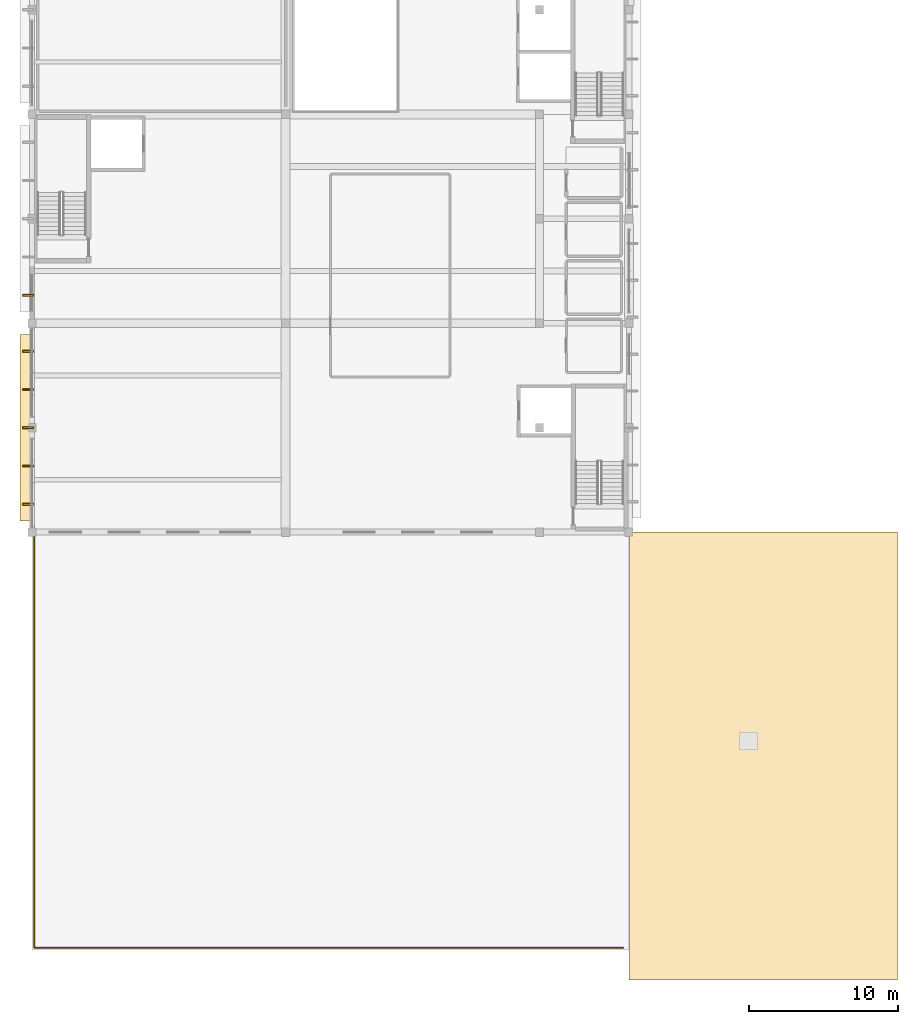
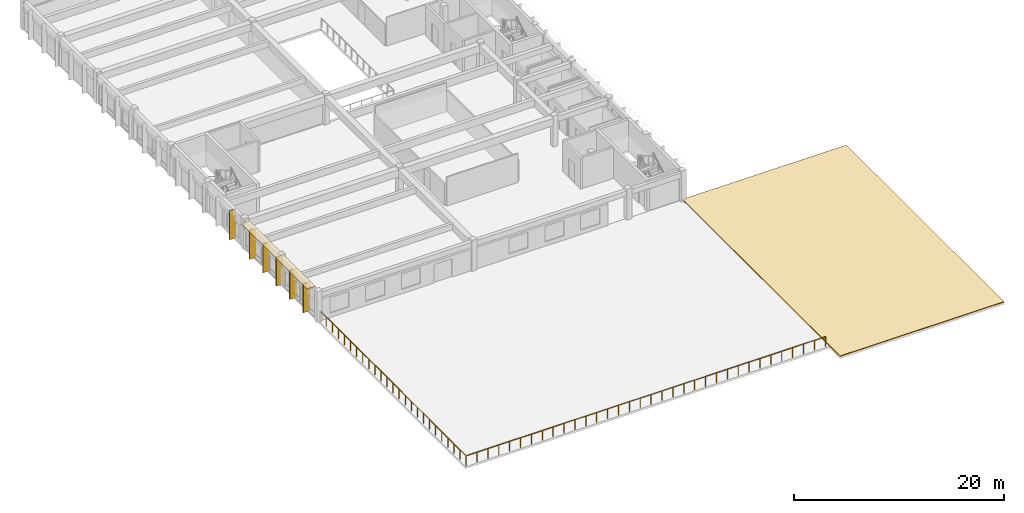
# One storey, part 18 of 23: 8 coverings, 1 railing.
"""IFC4 building model written with IfcOpenShell, lengths in metres."""

from ifc_helpers import new_model, si_unit, direction, frame, origin, origin_2d, place, context, subcontext, project, spatial, polyline, rectangle, circle, outline, extrude, material, layer, layer_set, type_object, element, save


model = new_model("IFC4")

# Units and contexts
model_context = context("Model", 3, precision=1e-05, world=origin(), true_north=direction((0.0, 1.0)))
body_context = subcontext(model_context, "Body", "Model", "MODEL_VIEW")
ifc_project = project(units=[si_unit("LENGTHUNIT", "METRE"), si_unit("AREAUNIT", "SQUARE_METRE"), si_unit("VOLUMEUNIT", "CUBIC_METRE"), si_unit("PLANEANGLEUNIT", "RADIAN"), si_unit("MASSUNIT", "GRAM", prefix="KILO")], contexts=[model_context])

# Site, building, storey
site_placement = place(None, origin())
site = spatial("IfcSite", under=ifc_project, at=site_placement, CompositionType="ELEMENT")
building_placement = place(site_placement, origin())
building = spatial("IfcBuilding", under=site, at=building_placement, Name="Larkveld Mobility Hub", CompositionType="ELEMENT")
storey_placement = place(building_placement, frame((0.0, 0.0, 19.199951171875)))
storey = spatial("IfcBuildingStorey", under=building, at=storey_placement, Name="L05", CompositionType="ELEMENT", Elevation=19.199951171875)

# Coverings
ifc_material_1 = material(Name="Precast concrete C50/60", Category="concrete")
ifc_layer_1 = layer(ifc_material_1, 0.14990234375, Name="Precast concrete C50/60", Category="concrete")
ifc_layer_set_1 = layer_set([ifc_layer_1], Name="Precast concrete C50/60")
covering_type_1 = type_object("IfcCoveringType", Name="COV-QSL-H01", PredefinedType="CLADDING", material=ifc_layer_set_1)
covering_1_placement = place(storey_placement, frame((111.659912109375, 35.0, 3.3701171875), z_axis=(0.0, 0.0, 1.0), x_axis=(0.0, -1.0, 0.0)))
element("IfcCovering", 1, at=covering_1_placement, inside=storey, type_object=covering_type_1, Name="Precast Quebra-Sol Horizontal Sunbreaker QSH-584", PredefinedType="CLADDING", context=body_context, shape_type="SweptSolid", body=[
    extrude(rectangle(XDim=12.5, YDim=0.919921875, at=origin_2d()), origin(), (0.0, 0.0, 1.0), 0.14990234375),
])
ifc_layer_2 = layer(ifc_material_1, 0.1201171875, Name="Precast concrete C50/60", Category="concrete")
ifc_layer_set_2 = layer_set([ifc_layer_2], Name="Precast concrete C50/60")
covering_type_2 = type_object("IfcCoveringType", Name="COV-QSL-V01", PredefinedType="CLADDING", material=ifc_layer_set_2)
for number, where, z_axis, x_axis, name in (
    (2, (111.760009765625, 40.1201171875, -0.0205078125), (0.0, 0.0, 1.0), (0.0, -1.0, 0.0), "Precast Quebra-Sol Vertical Fin QSV-585"),
    (3, (111.760009765625, 37.56005859375, -0.0205078125), (0.0, 0.0, 1.0), (0.0, -1.0, 0.0), "Precast Quebra-Sol Vertical Fin QSV-586"),
    (4, (111.760009765625, 35.0, -0.0205078125), (0.0, 0.0, 1.0), (0.0, -1.0, 0.0), "Precast Quebra-Sol Vertical Fin QSV-587"),
    (5, (111.760009765625, 32.43994140625, -0.0205078125), (0.0, 0.0, 1.0), (0.0, -1.0, 0.0), "Precast Quebra-Sol Vertical Fin QSV-588"),
    (6, (111.760009765625, 29.8798828125, -0.0205078125), (0.0, 0.0, 1.0), (0.0, -1.0, 0.0), "Precast Quebra-Sol Vertical Fin QSV-589"),
    (7, (111.760009765625, 43.8798828125, -0.0205078125), (0.0, 0.0, 1.0), (0.0, -1.0, 0.0), "Precast Quebra-Sol Vertical Fin QSV-595"),
):
    element("IfcCovering", number, at=place(storey_placement, frame(where, z_axis=z_axis, x_axis=x_axis)), inside=storey, type_object=covering_type_2, Name=name, PredefinedType="CLADDING", context=body_context, shape_type="SweptSolid", body=[
        extrude(rectangle(XDim=0.1201171875, YDim=0.719970703125, at=origin_2d()), origin(), (0.0, 0.0, 1.0), 3.375),
    ])
ifc_material_2 = material(Name="Standing-seam zinc-alume roofing", Category="aluminium")
ifc_layer_3 = layer(ifc_material_2, 0.080078125, Name="Standing-seam zinc-alume roofing", Category="aluminium")
ifc_layer_set_3 = layer_set([ifc_layer_3], Name="Standing-seam zinc-alume roofing")
covering_type_3 = type_object("IfcCoveringType", Name="COV-RFG-01", PredefinedType="ROOFING", material=ifc_layer_set_3)
covering_2_placement = place(storey_placement, origin())
element("IfcCovering", 8, at=covering_2_placement, inside=storey, type_object=covering_type_3, Name="Service Wing Standing-Seam Overhanging Roof", PredefinedType="ROOFING", context=body_context, shape_type="SweptSolid", body=[
    extrude(outline(polyline([(152.0, -2.0), (170.0, -2.0), (170.0, 28.0), (152.0, 28.0), (152.0, -2.0)])), origin(), (0.0, 0.0, 1.0), 0.080078125),
])

# Railing
ifc_material_3 = material(Name="Anodized aluminium 6063-T6 balustrade", Category="aluminium")
railing_type = type_object("IfcRailingType", Name="RL-GRD-1150", PredefinedType="GUARDRAIL", material=ifc_material_3)
railing_placement = place(storey_placement, frame((112.159912109375, 27.919921875, 0.0)))
element("IfcRailing", 9, at=railing_placement, inside=storey, type_object=railing_type, Name="Rooftop Multi-Use Sports Court Guard L05-055", PredefinedType="GUARDRAIL", context=body_context, shape_type="SweptSolid", body=[
    extrude(circle(Radius=0.02392578125, at=origin_2d()), frame((0.0, 0.0, 1.1259765625), z_axis=(0.0, -1.0, 0.0), x_axis=(1.0, 0.0, 0.0)), (0.0, 0.0, 1.0), 27.760009765625),
    extrude(circle(Radius=0.02392578125, at=origin_2d()), frame((0.0, -27.760009765625, 1.1259765625), z_axis=(1.0, 0.0, 0.0), x_axis=(0.0, 1.0, 0.0)), (0.0, 0.0, 1.0), 39.460205078125),
    extrude(circle(Radius=0.02099609375, at=origin_2d()), origin(), (0.0, 0.0, 1.0), 1.101806640625),
    extrude(circle(Radius=0.02099609375, at=origin_2d()), frame((0.0, -1.15673828125, 0.0)), (0.0, 0.0, 1.0), 1.101806640625),
    extrude(circle(Radius=0.02099609375, at=origin_2d()), frame((0.0, -2.313232421875, 0.0)), (0.0, 0.0, 1.0), 1.101806640625),
    extrude(circle(Radius=0.02099609375, at=origin_2d()), frame((0.0, -3.469970703125, 0.0)), (0.0, 0.0, 1.0), 1.101806640625),
    extrude(circle(Radius=0.02099609375, at=origin_2d()), frame((0.0, -4.626708984375, 0.0)), (0.0, 0.0, 1.0), 1.101806640625),
    extrude(circle(Radius=0.02099609375, at=origin_2d()), frame((0.0, -5.783447265625, 0.0)), (0.0, 0.0, 1.0), 1.101806640625),
    extrude(circle(Radius=0.02099609375, at=origin_2d()), frame((0.0, -6.93994140625, 0.0)), (0.0, 0.0, 1.0), 1.101806640625),
    extrude(circle(Radius=0.02099609375, at=origin_2d()), frame((0.0, -8.0966796875, 0.0)), (0.0, 0.0, 1.0), 1.101806640625),
    extrude(circle(Radius=0.02099609375, at=origin_2d()), frame((0.0, -9.25341796875, 0.0)), (0.0, 0.0, 1.0), 1.101806640625),
    extrude(circle(Radius=0.02099609375, at=origin_2d()), frame((0.0, -10.409912109375, 0.0)), (0.0, 0.0, 1.0), 1.101806640625),
    extrude(circle(Radius=0.02099609375, at=origin_2d()), frame((0.0, -11.566650390625, 0.0)), (0.0, 0.0, 1.0), 1.101806640625),
    extrude(circle(Radius=0.02099609375, at=origin_2d()), frame((0.0, -12.723388671875, 0.0)), (0.0, 0.0, 1.0), 1.101806640625),
    extrude(circle(Radius=0.02099609375, at=origin_2d()), frame((0.0, -13.8798828125, 0.0)), (0.0, 0.0, 1.0), 1.101806640625),
    extrude(circle(Radius=0.02099609375, at=origin_2d()), frame((0.0, -15.03662109375, 0.0)), (0.0, 0.0, 1.0), 1.101806640625),
    extrude(circle(Radius=0.02099609375, at=origin_2d()), frame((0.0, -16.193359375, 0.0)), (0.0, 0.0, 1.0), 1.101806640625),
    extrude(circle(Radius=0.02099609375, at=origin_2d()), frame((0.0, -17.35009765625, 0.0)), (0.0, 0.0, 1.0), 1.101806640625),
    extrude(circle(Radius=0.02099609375, at=origin_2d()), frame((0.0, -18.506591796875, 0.0)), (0.0, 0.0, 1.0), 1.101806640625),
    extrude(circle(Radius=0.02099609375, at=origin_2d()), frame((0.0, -19.663330078125, 0.0)), (0.0, 0.0, 1.0), 1.101806640625),
    extrude(circle(Radius=0.02099609375, at=origin_2d()), frame((0.0, -20.820068359375, 0.0)), (0.0, 0.0, 1.0), 1.101806640625),
    extrude(circle(Radius=0.02099609375, at=origin_2d()), frame((0.0, -21.9765625, 0.0)), (0.0, 0.0, 1.0), 1.101806640625),
    extrude(circle(Radius=0.02099609375, at=origin_2d()), frame((0.0, -23.13330078125, 0.0)), (0.0, 0.0, 1.0), 1.101806640625),
    extrude(circle(Radius=0.02099609375, at=origin_2d()), frame((0.0, -24.2900390625, 0.0)), (0.0, 0.0, 1.0), 1.101806640625),
    extrude(circle(Radius=0.02099609375, at=origin_2d()), frame((0.0, -25.44677734375, 0.0)), (0.0, 0.0, 1.0), 1.101806640625),
    extrude(circle(Radius=0.02099609375, at=origin_2d()), frame((0.0, -26.603271484375, 0.0)), (0.0, 0.0, 1.0), 1.101806640625),
    extrude(circle(Radius=0.02099609375, at=origin_2d()), frame((0.0, -27.760009765625, 0.0)), (0.0, 0.0, 1.0), 1.101806640625),
    extrude(circle(Radius=0.02099609375, at=origin_2d()), frame((1.19580078125, -27.760009765625, 0.0)), (0.0, 0.0, 1.0), 1.101806640625),
    extrude(circle(Radius=0.02099609375, at=origin_2d()), frame((2.3916015625, -27.760009765625, 0.0)), (0.0, 0.0, 1.0), 1.101806640625),
    extrude(circle(Radius=0.02099609375, at=origin_2d()), frame((3.58740234375, -27.760009765625, 0.0)), (0.0, 0.0, 1.0), 1.101806640625),
    extrude(circle(Radius=0.02099609375, at=origin_2d()), frame((4.782958984375, -27.760009765625, 0.0)), (0.0, 0.0, 1.0), 1.101806640625),
    extrude(circle(Radius=0.02099609375, at=origin_2d()), frame((5.978759765625, -27.760009765625, 0.0)), (0.0, 0.0, 1.0), 1.101806640625),
    extrude(circle(Radius=0.02099609375, at=origin_2d()), frame((7.174560546875, -27.760009765625, 0.0)), (0.0, 0.0, 1.0), 1.101806640625),
    extrude(circle(Radius=0.02099609375, at=origin_2d()), frame((8.370361328125, -27.760009765625, 0.0)), (0.0, 0.0, 1.0), 1.101806640625),
    extrude(circle(Radius=0.02099609375, at=origin_2d()), frame((9.566162109375, -27.760009765625, 0.0)), (0.0, 0.0, 1.0), 1.101806640625),
    extrude(circle(Radius=0.02099609375, at=origin_2d()), frame((10.761962890625, -27.760009765625, 0.0)), (0.0, 0.0, 1.0), 1.101806640625),
    extrude(circle(Radius=0.02099609375, at=origin_2d()), frame((11.95751953125, -27.760009765625, 0.0)), (0.0, 0.0, 1.0), 1.101806640625),
    extrude(circle(Radius=0.02099609375, at=origin_2d()), frame((13.1533203125, -27.760009765625, 0.0)), (0.0, 0.0, 1.0), 1.101806640625),
    extrude(circle(Radius=0.02099609375, at=origin_2d()), frame((14.34912109375, -27.760009765625, 0.0)), (0.0, 0.0, 1.0), 1.101806640625),
    extrude(circle(Radius=0.02099609375, at=origin_2d()), frame((15.544921875, -27.760009765625, 0.0)), (0.0, 0.0, 1.0), 1.101806640625),
    extrude(circle(Radius=0.02099609375, at=origin_2d()), frame((16.74072265625, -27.760009765625, 0.0)), (0.0, 0.0, 1.0), 1.101806640625),
    extrude(circle(Radius=0.02099609375, at=origin_2d()), frame((17.9365234375, -27.760009765625, 0.0)), (0.0, 0.0, 1.0), 1.101806640625),
    extrude(circle(Radius=0.02099609375, at=origin_2d()), frame((19.13232421875, -27.760009765625, 0.0)), (0.0, 0.0, 1.0), 1.101806640625),
    extrude(circle(Radius=0.02099609375, at=origin_2d()), frame((20.327880859375, -27.760009765625, 0.0)), (0.0, 0.0, 1.0), 1.101806640625),
    extrude(circle(Radius=0.02099609375, at=origin_2d()), frame((21.523681640625, -27.760009765625, 0.0)), (0.0, 0.0, 1.0), 1.101806640625),
    extrude(circle(Radius=0.02099609375, at=origin_2d()), frame((22.719482421875, -27.760009765625, 0.0)), (0.0, 0.0, 1.0), 1.101806640625),
    extrude(circle(Radius=0.02099609375, at=origin_2d()), frame((23.915283203125, -27.760009765625, 0.0)), (0.0, 0.0, 1.0), 1.101806640625),
    extrude(circle(Radius=0.02099609375, at=origin_2d()), frame((25.111083984375, -27.760009765625, 0.0)), (0.0, 0.0, 1.0), 1.101806640625),
    extrude(circle(Radius=0.02099609375, at=origin_2d()), frame((26.306884765625, -27.760009765625, 0.0)), (0.0, 0.0, 1.0), 1.101806640625),
    extrude(circle(Radius=0.02099609375, at=origin_2d()), frame((27.502685546875, -27.760009765625, 0.0)), (0.0, 0.0, 1.0), 1.101806640625),
    extrude(circle(Radius=0.02099609375, at=origin_2d()), frame((28.6982421875, -27.760009765625, 0.0)), (0.0, 0.0, 1.0), 1.101806640625),
    extrude(circle(Radius=0.02099609375, at=origin_2d()), frame((29.89404296875, -27.760009765625, 0.0)), (0.0, 0.0, 1.0), 1.101806640625),
    extrude(circle(Radius=0.02099609375, at=origin_2d()), frame((31.08984375, -27.760009765625, 0.0)), (0.0, 0.0, 1.0), 1.101806640625),
    extrude(circle(Radius=0.02099609375, at=origin_2d()), frame((32.28564453125, -27.760009765625, 0.0)), (0.0, 0.0, 1.0), 1.101806640625),
    extrude(circle(Radius=0.02099609375, at=origin_2d()), frame((33.4814453125, -27.760009765625, 0.0)), (0.0, 0.0, 1.0), 1.101806640625),
    extrude(circle(Radius=0.02099609375, at=origin_2d()), frame((34.67724609375, -27.760009765625, 0.0)), (0.0, 0.0, 1.0), 1.101806640625),
    extrude(circle(Radius=0.02099609375, at=origin_2d()), frame((35.872802734375, -27.760009765625, 0.0)), (0.0, 0.0, 1.0), 1.101806640625),
    extrude(circle(Radius=0.02099609375, at=origin_2d()), frame((37.068603515625, -27.760009765625, 0.0)), (0.0, 0.0, 1.0), 1.101806640625),
    extrude(circle(Radius=0.02099609375, at=origin_2d()), frame((38.264404296875, -27.760009765625, 0.0)), (0.0, 0.0, 1.0), 1.101806640625),
    extrude(circle(Radius=0.02099609375, at=origin_2d()), frame((39.460205078125, -27.760009765625, 0.0)), (0.0, 0.0, 1.0), 1.101806640625),
])

save(model, "model.ifc")
